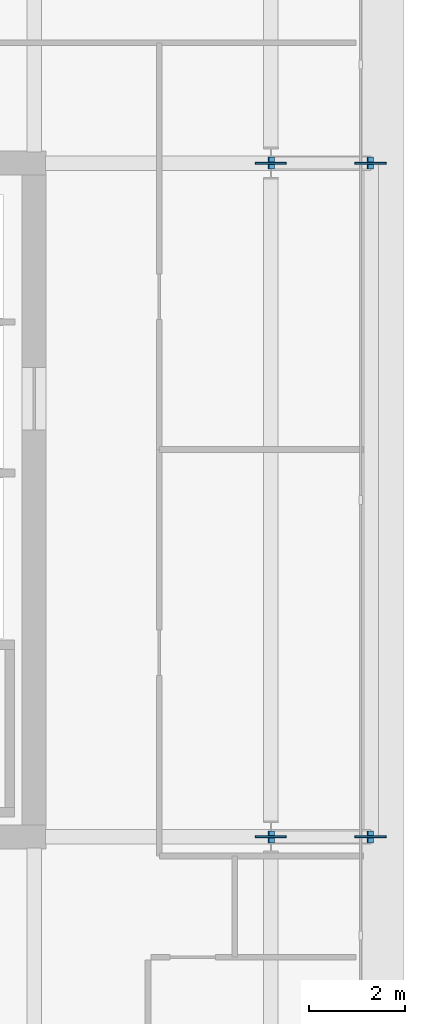
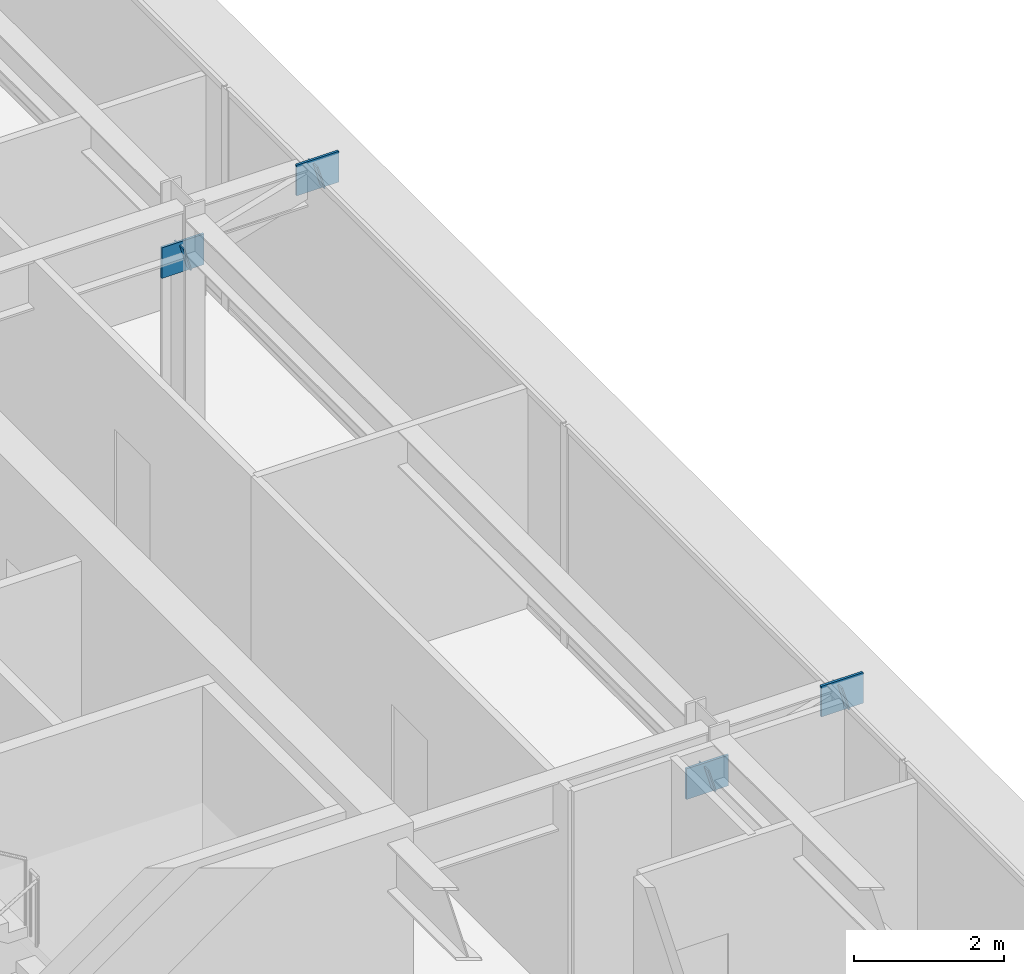
# One storey, part 12 of 20: 8 plates.
"""IFC4 building model written with IfcOpenShell, lengths in metres."""

from ifc_helpers import new_model, si_unit, direction, frame, origin, origin_2d, place, context, subcontext, project, spatial, rectangle, extrude, material, layer, layer_set, type_object, element, save


model = new_model("IFC4")

# Units and contexts
model_context = context("Model", 3, precision=1e-05, world=origin(), true_north=direction((0.0, 1.0)))
body_context = subcontext(model_context, "Body", "Model", "MODEL_VIEW")
ifc_project = project(units=[si_unit("LENGTHUNIT", "METRE"), si_unit("AREAUNIT", "SQUARE_METRE"), si_unit("VOLUMEUNIT", "CUBIC_METRE"), si_unit("PLANEANGLEUNIT", "RADIAN"), si_unit("MASSUNIT", "GRAM", prefix="KILO")], contexts=[model_context])

# Site, building, storey
site_placement = place(None, origin())
site = spatial("IfcSite", under=ifc_project, at=site_placement, CompositionType="ELEMENT")
building_placement = place(site_placement, origin())
building = spatial("IfcBuilding", under=site, at=building_placement, Name="Putna Gate Headquarters", CompositionType="ELEMENT")
storey_placement = place(building_placement, frame((0.0, 0.0, 274.60009765625)))
storey = spatial("IfcBuildingStorey", under=building, at=storey_placement, Name="L69", CompositionType="ELEMENT", Elevation=274.60009765625)

# Plates
ifc_material_1 = material(Name="Steel S355J2", Category="steel")
ifc_layer_1 = layer(ifc_material_1, 0.02001953125)
ifc_layer_set_1 = layer_set([ifc_layer_1], Name="Steel S355J2")
plate_type_1 = type_object("IfcPlateType", Name="PLT-CAP-EC-R400", PredefinedType="SHEET", material=ifc_layer_set_1)
plate_1_placement = place(storey_placement, frame((69.9150390625, 19.0, 2.75), z_axis=(0.959169457756, 0.0, 0.282832019595), x_axis=(0.0, 1.0, 0.0)))
element("IfcPlate", 1, at=plate_1_placement, inside=storey, type_object=plate_type_1, Name="L69 East Sail Cantilever Raker Y19 End Cap Start", PredefinedType="SHEET", context=body_context, shape_type="SweptSolid", body=[
    extrude(rectangle(XDim=0.25, YDim=0.39990234375, at=origin_2d()), origin(), (0.0, 0.0, 1.0), 0.019775390625),
])
plate_2_placement = place(storey_placement, frame((71.971923828125, 19.0, 3.3623046875), z_axis=(0.960136007106, 0.0, 0.279533267892), x_axis=(0.0, 1.0, 0.0)))
element("IfcPlate", 2, at=plate_2_placement, inside=storey, type_object=plate_type_1, Name="L69 East Sail Cantilever Raker Y19 End Cap End", PredefinedType="SHEET", context=body_context, shape_type="SweptSolid", body=[
    extrude(rectangle(XDim=0.25, YDim=0.39990234375, at=origin_2d()), origin(), (0.0, 0.0, 1.0), 0.02001953125),
])
plate_3_placement = place(storey_placement, frame((69.9150390625, 33.0, 2.75), z_axis=(0.959169457756, 0.0, 0.282832019595), x_axis=(0.0, 1.0, 0.0)))
element("IfcPlate", 3, at=plate_3_placement, inside=storey, type_object=plate_type_1, Name="L69 East Sail Cantilever Raker Y33 End Cap Start", PredefinedType="SHEET", context=body_context, shape_type="SweptSolid", body=[
    extrude(rectangle(XDim=0.25, YDim=0.39990234375, at=origin_2d()), origin(), (0.0, 0.0, 1.0), 0.019775390625),
])
plate_4_placement = place(storey_placement, frame((71.971923828125, 33.0, 3.3623046875), z_axis=(0.960136007106, 0.0, 0.279533267892), x_axis=(0.0, 1.0, 0.0)))
element("IfcPlate", 4, at=plate_4_placement, inside=storey, type_object=plate_type_1, Name="L69 East Sail Cantilever Raker Y33 End Cap End", PredefinedType="SHEET", context=body_context, shape_type="SweptSolid", body=[
    extrude(rectangle(XDim=0.25, YDim=0.39990234375, at=origin_2d()), origin(), (0.0, 0.0, 1.0), 0.02001953125),
])
ifc_material_2 = material(Name="Steel S460M", Category="steel")
ifc_layer_2 = layer(ifc_material_2, 0.0380859375)
ifc_layer_set_2 = layer_set([ifc_layer_2], Name="Steel S460M")
plate_type_2 = type_object("IfcPlateType", Name="PLT-NODE-TN1", PredefinedType="SHEET", material=ifc_layer_set_2)
for number, where, z_axis, x_axis, name in (
    (5, (69.9150390625, 19.0, 2.5), (0.0, 0.0, 1.0), (1.0, 0.0, 0.0), "L69 Sail Raker Node Plate TN1 Y19-1"),
    (6, (71.9912109375, 19.0, 3.117919921875), (0.0, 0.0, 1.0), (1.0, 0.0, 0.0), "L69 Sail Raker Node Plate TN1 Y19-2"),
    (7, (69.9150390625, 33.0, 2.5), (0.0, 0.0, 1.0), (1.0, 0.0, 0.0), "L69 Sail Raker Node Plate TN1 Y33-1"),
    (8, (71.9912109375, 33.0, 3.117919921875), (0.0, 0.0, 1.0), (1.0, 0.0, 0.0), "L69 Sail Raker Node Plate TN1 Y33-2"),
):
    element("IfcPlate", number, at=place(storey_placement, frame(where, z_axis=z_axis, x_axis=x_axis)), inside=storey, type_object=plate_type_2, Name=name, PredefinedType="SHEET", context=body_context, shape_type="SweptSolid", body=[
        extrude(rectangle(XDim=0.64990234375, YDim=0.0380859375, at=origin_2d()), origin(), (0.0, 0.0, 1.0), 0.5),
    ])

save(model, "model.ifc")
